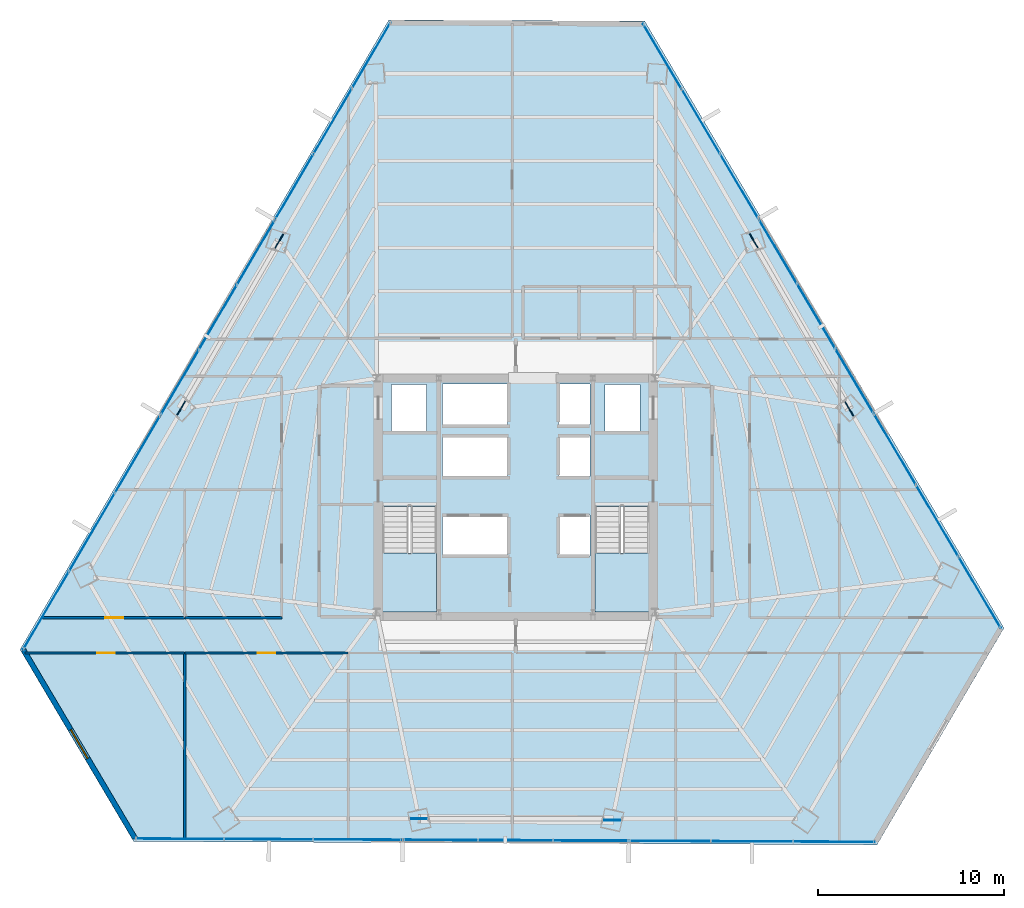
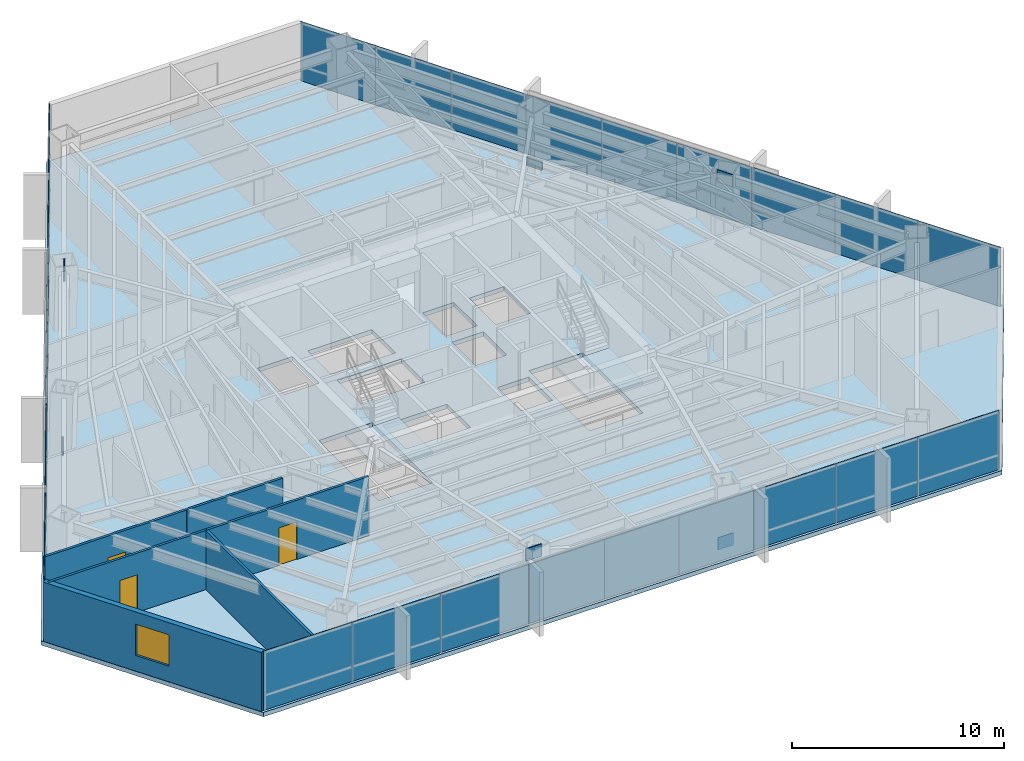
# One storey, part 29 of 35: 33 plates, 6 walls, 3 doors, 3 slabs, 1 window, 4 openings, 11 elements without a shape of their own.
"""IFC4 building model written with IfcOpenShell, lengths in metres."""

import ifcopenshell
import ifcopenshell.guid

model = None  # the IFC model being written
_history = None  # IfcOwnerHistory: only IFC2X3 demands one
_inside = {}  # id of a spatial element -> (the spatial element, [elements in it])
_under = {}  # id of a project, library or spatial element -> (it, [spatial elements below it])
_declared = {}  # id of a project -> (the project, [libraries it declares])
_typed = {}  # id of a type object -> (the type object, [elements of that type])
_made_of = {}  # id of a material, layer set ... -> (it, [elements and type objects made of it])


def new_model(schema):
    """Start an empty IFC model of exactly this schema.

    Asked for "IFC4X3", IfcOpenShell would pick the latest addendum, in which some entities
    have other attributes; the version numbers below select the first issue.
    IFC2X3 requires an IfcOwnerHistory on every rooted entity: one is made here for all.
    """
    global model, _history
    if schema == "IFC4X3":
        model = ifcopenshell.file(schema_version=(4, 3, 0, 0))
    else:
        model = ifcopenshell.file(schema=schema)
    _inside.clear()
    _under.clear()
    _declared.clear()
    _typed.clear()
    _made_of.clear()
    _history = None
    if model.schema == "IFC2X3":
        org = make("IfcOrganization", Name="unknown")
        user = make(
            "IfcPersonAndOrganization",
            ThePerson=make("IfcPerson", FamilyName="unknown"),
            TheOrganization=org,
        )
        app = make(
            "IfcApplication",
            ApplicationDeveloper=org,
            Version="unknown",
            ApplicationFullName="unknown",
            ApplicationIdentifier="unknown",
        )
        _history = make(
            "IfcOwnerHistory",
            OwningUser=user,
            OwningApplication=app,
            ChangeAction="ADDED",
            CreationDate=0,
        )
    return model


def make(cls, **values):
    """One entity of the class cls with the attributes given. An attribute that is None is left unset."""
    return model.create_entity(
        cls, **{name: value for name, value in values.items() if value is not None}
    )


def rooted(cls, **values):
    """An entity with a GlobalId (a new one), such as an element, a storey or a relation."""
    return make(cls, GlobalId=ifcopenshell.guid.new(), OwnerHistory=_history, **values)


def si_unit(unit_type, name, prefix=None):
    """IfcSIUnit, for example si_unit("LENGTHUNIT", "METRE", prefix="MILLI")."""
    return make("IfcSIUnit", UnitType=unit_type, Prefix=prefix, Name=name)


def assignment(units):
    """IfcUnitAssignment: the units of a project."""
    return None if units is None else make("IfcUnitAssignment", Units=units)


def point(xyz):
    """IfcCartesianPoint."""
    return None if xyz is None else make("IfcCartesianPoint", Coordinates=xyz)


def direction(xyz):
    """IfcDirection."""
    return None if xyz is None else make("IfcDirection", DirectionRatios=xyz)


def frame(location, z_axis=None, x_axis=None):
    """IfcAxis2Placement3D, a coordinate frame: its origin and axes. An axis left out is left unset."""
    return make(
        "IfcAxis2Placement3D",
        Location=point(location),
        Axis=direction(z_axis),
        RefDirection=direction(x_axis),
    )


def frame_2d(location, x_axis=None):
    """IfcAxis2Placement2D, a coordinate frame in the plane: its origin and x axis."""
    return make(
        "IfcAxis2Placement2D", Location=point(location), RefDirection=direction(x_axis)
    )


def origin():
    """The frame at (0, 0, 0) with its axes left unset."""
    return frame((0.0, 0.0, 0.0))


def origin_2d():
    """The frame at (0, 0) in the plane with its x axis left unset."""
    return frame_2d((0.0, 0.0))


def place(relative_to, where):
    """IfcLocalPlacement: puts the frame where relative to a parent placement (None: the world)."""
    return make(
        "IfcLocalPlacement", PlacementRelTo=relative_to, RelativePlacement=where
    )


def context(
    kind, dimensions, precision=None, world=None, true_north=None, identifier=None
):
    """IfcGeometricRepresentationContext, for example the 3D "Model" context."""
    return make(
        "IfcGeometricRepresentationContext",
        ContextIdentifier=identifier,
        ContextType=kind,
        CoordinateSpaceDimension=dimensions,
        Precision=precision,
        WorldCoordinateSystem=world,
        TrueNorth=true_north,
    )


def subcontext(parent, identifier, kind, view, scale=None):
    """IfcGeometricRepresentationSubContext, for example "Body" below "Model"."""
    return make(
        "IfcGeometricRepresentationSubContext",
        ContextIdentifier=identifier,
        ContextType=kind,
        ParentContext=parent,
        TargetScale=scale,
        TargetView=view,
    )


def project(units=None, contexts=None):
    """IfcProject with its units and contexts."""
    return rooted(
        "IfcProject",
        Name="project",
        RepresentationContexts=contexts,
        UnitsInContext=assignment(units),
    )


def spatial(cls, under=None, at=None, **own):
    """A site, building, storey or space (cls), placed at a placement, below another one or the project."""
    s = rooted(cls, ObjectPlacement=at, **own)
    if under is not None:
        _under.setdefault(under.id(), (under, []))[1].append(s)
    return s


def polyline(points):
    """IfcPolyline through the points."""
    return make("IfcPolyline", Points=[point(p) for p in points])


def profile(cls, at=None, kind="AREA", **sizes):
    """A parametric profile (cls). Its sizes go by their IFC names, for example OverallWidth=200.0."""
    return make(cls, ProfileType=kind, Position=at, **sizes)


def rectangle(**sizes):
    """IfcRectangleProfileDef."""
    return profile("IfcRectangleProfileDef", **sizes)


def outline(outer, holes=None, kind="AREA"):
    """IfcArbitraryClosedProfileDef: a profile drawn as a closed curve; with holes, ...WithVoids."""
    if holes is None:
        return make("IfcArbitraryClosedProfileDef", ProfileType=kind, OuterCurve=outer)
    return make(
        "IfcArbitraryProfileDefWithVoids",
        ProfileType=kind,
        OuterCurve=outer,
        InnerCurves=holes,
    )


def extrude(swept, where, along, depth):
    """IfcExtrudedAreaSolid: the profile swept, set in the frame where, extruded along a direction by depth."""
    return make(
        "IfcExtrudedAreaSolid",
        SweptArea=swept,
        Position=where,
        ExtrudedDirection=direction(along),
        Depth=depth,
    )


def shape(context_of_items, identifier, shape_type, items):
    """IfcShapeRepresentation: the items that make up one representation, for example the "Body"."""
    return make(
        "IfcShapeRepresentation",
        ContextOfItems=context_of_items,
        RepresentationIdentifier=identifier,
        RepresentationType=shape_type,
        Items=items,
    )


def source(mapping_origin, context_of_items, identifier, shape_type, items):
    """IfcRepresentationMap: a shape defined once, which mapped items show again and again."""
    return make(
        "IfcRepresentationMap",
        MappingOrigin=mapping_origin,
        MappedRepresentation=shape(context_of_items, identifier, shape_type, items),
    )


def transform(
    local_origin,
    x_axis=None,
    y_axis=None,
    z_axis=None,
    scale=None,
    scale2=None,
    scale3=None,
    uniform=True,
):
    """IfcCartesianTransformationOperator3D, or its non-uniform kind. x_axis, y_axis, z_axis: its Axis1, 2, 3."""
    if uniform:
        return make(
            "IfcCartesianTransformationOperator3D",
            Axis1=direction(x_axis),
            Axis2=direction(y_axis),
            LocalOrigin=point(local_origin),
            Scale=scale,
            Axis3=direction(z_axis),
        )
    return make(
        "IfcCartesianTransformationOperator3DnonUniform",
        Axis1=direction(x_axis),
        Axis2=direction(y_axis),
        LocalOrigin=point(local_origin),
        Scale=scale,
        Axis3=direction(z_axis),
        Scale2=scale2,
        Scale3=scale3,
    )


def mapped(mapping_source, mapping_target):
    """IfcMappedItem: shows the shape of a source again, moved by a transform."""
    return make(
        "IfcMappedItem", MappingSource=mapping_source, MappingTarget=mapping_target
    )


def material(Name=None, Category=None):
    """IfcMaterial."""
    return make("IfcMaterial", Name=Name, Category=Category)


def layer(
    of_material, thickness, ventilated=None, Name=None, Category=None, Priority=None
):
    """IfcMaterialLayer: one layer of a wall or slab, of a material (None: an air gap)."""
    return make(
        "IfcMaterialLayer",
        Material=of_material,
        LayerThickness=thickness,
        IsVentilated=ventilated,
        Name=Name,
        Category=Category,
        Priority=Priority,
    )


def layer_set(layers, Name=None):
    """IfcMaterialLayerSet."""
    return make("IfcMaterialLayerSet", MaterialLayers=layers, LayerSetName=Name)


def made_of(thing, what):
    """Note that an element or type object is made of a material, layer set ...; save() writes the relation."""
    if what is not None:
        _made_of.setdefault(what.id(), (what, []))[1].append(thing)
    return thing


def type_object(cls, material=None, **own):
    """A type object (cls), such as IfcWallType, which elements share."""
    return made_of(rooted(cls, **own), material)


def type_shapes(of_type, sources):
    """Give a type object the sources (RepresentationMaps) that its elements show as mapped items."""
    of_type.RepresentationMaps = sources


def element(
    cls,
    number,
    at=None,
    inside=None,
    cuts=None,
    type_object=None,
    material=None,
    context=None,
    identifier="Body",
    shape_type=None,
    held_by="IfcProductDefinitionShape",
    body=None,
    shapes=None,
    **own,
):
    """One element of the class cls, such as IfcWall. Its Tag is "e" and its number.

    at: its placement. inside: the storey or other place that contains it. cuts: it is an
    opening in that element (IfcRelVoidsElement). A single representation is given by context,
    identifier, shape_type and body (its items); several are given by shapes. held_by: the class
    of the entity that holds the representations. save() writes the other relations.
    """
    e = rooted(cls, Tag="e%d" % number, ObjectPlacement=at, **own)
    if body is not None:
        shapes = [shape(context, identifier, shape_type, body)]
    if shapes is not None:
        e.Representation = make(held_by, Representations=shapes)
    if inside is not None:
        _inside.setdefault(inside.id(), (inside, []))[1].append(e)
    if cuts is not None:
        rooted(
            "IfcRelVoidsElement", RelatingBuildingElement=cuts, RelatedOpeningElement=e
        )
    if type_object is not None:
        _typed.setdefault(type_object.id(), (type_object, []))[1].append(e)
    return made_of(e, material)


def fill(opening, filler):
    """IfcRelFillsElement: the door or window that sits in an opening."""
    return rooted(
        "IfcRelFillsElement",
        RelatingOpeningElement=opening,
        RelatedBuildingElement=filler,
    )


def aggregate(whole, parts):
    """IfcRelAggregates: a whole, such as a stair, and the parts it consists of."""
    return rooted("IfcRelAggregates", RelatingObject=whole, RelatedObjects=parts)


def save(model, path):
    """Write the relations noted so far, then the file.

    IfcRelAggregates (storeys below a building ...), IfcRelContainedInSpatialStructure (elements
    in a storey), IfcRelDefinesByType, IfcRelAssociatesMaterial and IfcRelDeclares: one each for
    every whole, place, type object, material and project.
    """
    for whole, parts in _under.values():
        aggregate(whole, parts)
    for where, things in _inside.values():
        rooted(
            "IfcRelContainedInSpatialStructure",
            RelatedElements=things,
            RelatingStructure=where,
        )
    for kind, things in _typed.values():
        rooted("IfcRelDefinesByType", RelatedObjects=things, RelatingType=kind)
    for what, things in _made_of.values():
        rooted("IfcRelAssociatesMaterial", RelatedObjects=things, RelatingMaterial=what)
    for by, libraries in _declared.values():
        rooted("IfcRelDeclares", RelatingContext=by, RelatedDefinitions=libraries)
    model.write(path)


model = new_model("IFC4")

# Units and contexts
model_context = context("Model", 3, precision=1e-05, world=origin(), true_north=direction((0.0, 1.0)))
body_context = subcontext(model_context, "Body", "Model", "MODEL_VIEW")
ifc_project = project(units=[si_unit("LENGTHUNIT", "METRE"), si_unit("AREAUNIT", "SQUARE_METRE"), si_unit("VOLUMEUNIT", "CUBIC_METRE"), si_unit("PLANEANGLEUNIT", "RADIAN"), si_unit("MASSUNIT", "GRAM", prefix="KILO")], contexts=[model_context])

# Site, building, storey
site_placement = place(None, origin())
site = spatial("IfcSite", under=ifc_project, at=site_placement, CompositionType="ELEMENT")
building_placement = place(site_placement, origin())
building = spatial("IfcBuilding", under=site, at=building_placement, Name="Caelisora Broadcast Tower", CompositionType="ELEMENT")
storey_placement = place(building_placement, frame((0.0, 0.0, 98.10009765625)))
storey = spatial("IfcBuildingStorey", under=building, at=storey_placement, Name="L25", CompositionType="ELEMENT", Elevation=98.10009765625)

# Slab
ifc_material_1 = material(Name="Concrete 40 MPa (AS 3600 N40)", Category="concrete")
ifc_layer_1 = layer(ifc_material_1, 0.25, Name="Concrete 40 MPa (AS 3600 N40)")
ifc_layer_set_1 = layer_set([ifc_layer_1], Name="Concrete 40 MPa (AS 3600 N40)")
slab_type_1 = type_object("IfcSlabType", Name="SL04", PredefinedType="FLOOR", material=ifc_layer_set_1)
slab_1_placement = place(storey_placement, frame((0.0, 0.0, -0.25)))
element("IfcSlab", 1, at=slab_1_placement, inside=storey, type_object=slab_type_1, Name="L25 suspended floor SL04", PredefinedType="FLOOR", context=body_context, shape_type="SweptSolid", body=[
    extrude(outline(polyline([(44.948974609375, 49.23388671875), (31.159912109375, 49.297119140625), (11.2939453125, 15.384033203125), (17.410888671875, 5.049072265625), (57.4580078125, 4.866943359375), (64.299072265625, 16.5439453125), (44.948974609375, 49.23388671875)]), holes=[polyline([(30.820068359375, 17.39990234375), (33.739990234375, 17.39990234375), (33.739990234375, 23.080078125), (30.820068359375, 23.080078125), (30.820068359375, 17.39990234375)]), polyline([(42.260009765625, 17.39990234375), (45.179931640625, 17.39990234375), (45.179931640625, 23.080078125), (42.260009765625, 23.080078125), (42.260009765625, 17.39990234375)]), polyline([(42.800048828125, 27.14990234375), (44.699951171875, 27.14990234375), (44.699951171875, 29.64990234375), (42.800048828125, 29.64990234375), (42.800048828125, 27.14990234375)]), polyline([(40.300048828125, 20.429931640625), (42.0, 20.429931640625), (42.0, 22.6298828125), (40.300048828125, 22.6298828125), (40.300048828125, 20.429931640625)]), polyline([(40.300048828125, 24.719970703125), (42.0, 24.719970703125), (42.0, 26.919921875), (40.300048828125, 26.919921875), (40.300048828125, 24.719970703125)]), polyline([(40.300048828125, 27.5), (42.0, 27.5), (42.0, 29.699951171875), (40.300048828125, 29.699951171875), (40.300048828125, 27.5)]), polyline([(34.050048828125, 20.429931640625), (37.550048828125, 20.429931640625), (37.550048828125, 22.6298828125), (34.050048828125, 22.6298828125), (34.050048828125, 20.429931640625)]), polyline([(34.050048828125, 24.719970703125), (37.550048828125, 24.719970703125), (37.550048828125, 26.919921875), (34.050048828125, 26.919921875), (34.050048828125, 24.719970703125)]), polyline([(34.050048828125, 27.5), (37.550048828125, 27.5), (37.550048828125, 29.699951171875), (34.050048828125, 29.699951171875), (34.050048828125, 27.5)]), polyline([(31.300048828125, 27.14990234375), (33.199951171875, 27.14990234375), (33.199951171875, 29.64990234375), (31.300048828125, 29.64990234375), (31.300048828125, 27.14990234375)])]), origin(), (0.0, 0.0, 1.0), 0.25),
])

# Stair, slab
stair_type_1 = type_object("IfcStairType", Name="ST-1", PredefinedType="HALF_TURN_STAIR", material=ifc_material_1)
stair_1_placement = place(storey_placement, origin())
stair_1 = element("IfcStair", 2, at=stair_1_placement, inside=storey, type_object=stair_type_1, Name="L25 West Fire-Isolated Tower Stair", PredefinedType="HALF_TURN_STAIR")
ifc_layer_2 = layer(ifc_material_1, 0.199951171875, Name="Concrete 40 MPa (AS 3600 N40)")
ifc_layer_set_2 = layer_set([ifc_layer_2], Name="Concrete 40 MPa (AS 3600 N40)")
slab_type_2 = type_object("IfcSlabType", Name="STL-1", PredefinedType="LANDING", material=ifc_layer_set_2)
slab_2_placement = place(storey_placement, frame((0.0, 0.0, 1.625)))
slab_2 = element("IfcSlab", 3, at=slab_2_placement, type_object=slab_type_2, Name="ST-1 landing 1", PredefinedType="LANDING", context=body_context, shape_type="SweptSolid", body=[
    extrude(outline(polyline([(30.820068359375, 20.580078125), (30.820068359375, 17.39990234375), (33.739990234375, 17.39990234375), (33.739990234375, 20.580078125), (30.820068359375, 20.580078125)])), origin(), (0.0, 0.0, 1.0), 0.199951171875),
])
aggregate(stair_1, [slab_2])

stair_type_2 = type_object("IfcStairType", Name="ST-2", PredefinedType="HALF_TURN_STAIR", material=ifc_material_1)
stair_2_placement = place(storey_placement, origin())
stair_2 = element("IfcStair", 4, at=stair_2_placement, inside=storey, type_object=stair_type_2, Name="L25 East Fire-Isolated Tower Stair", PredefinedType="HALF_TURN_STAIR")
slab_3_placement = place(storey_placement, frame((0.0, 0.0, 1.625)))
slab_3 = element("IfcSlab", 5, at=slab_3_placement, type_object=slab_type_2, Name="ST-2 landing 1", PredefinedType="LANDING", context=body_context, shape_type="SweptSolid", body=[
    extrude(outline(polyline([(42.260009765625, 20.580078125), (42.260009765625, 17.39990234375), (45.179931640625, 17.39990234375), (45.179931640625, 20.580078125), (42.260009765625, 20.580078125)])), origin(), (0.0, 0.0, 1.0), 0.199951171875),
])
aggregate(stair_2, [slab_3])

# Plates
ifc_material_2 = material(Name="Steel Grade 350 L15 (AS/NZS 3678)", Category="steel")
ifc_layer_3 = layer(ifc_material_2, 0.050048828125, Name="Steel Grade 350 L15 (AS/NZS 3678)")
ifc_layer_set_3 = layer_set([ifc_layer_3], Name="Steel Grade 350 L15 (AS/NZS 3678)")
plate_type_1 = type_object("IfcPlateType", Name="GP03", PredefinedType="USERDEFINED", material=ifc_layer_set_3)
shared_shape_1 = source(origin(), body_context, "Body", "SweptSolid", [
    extrude(rectangle(XDim=0.85009765625, YDim=0.050048828125, at=origin_2d()), origin(), (0.0, 0.0, 1.0), 0.699951171875),
])
type_shapes(plate_type_1, [shared_shape_1])
for number, where, z_axis, x_axis, name in (
    (6, (25.24951171875, 37.3779296875, 2.72998046875), (0.0, 0.0, 1.0), (-0.5, -0.866025403784, 0.0), "L25 gusset plate GP03 (ND-L25-C02T)"),
    (7, (19.984619140625, 28.40380859375, -0.22998046875), (0.0, 0.0, 1.0), (-0.5, -0.866025403784, 0.0), "L25 gusset plate GP03 (ND-L25-C03B)"),
    (8, (32.789794921875, 6.268798828125, 2.72998046875), (0.0, 0.0, 1.0), (1.0, 0.0, 0.0), "L25 gusset plate GP03 (ND-L25-C06T)"),
    (9, (43.194091796875, 6.1962890625, -0.22998046875), (0.0, 0.0, 1.0), (1.0, 0.0, 0.0), "L25 gusset plate GP03 (ND-L25-C07B)"),
    (10, (55.9609375, 28.353515625, 2.72998046875), (0.0, 0.0, 1.0), (-0.5, 0.866025403784, 0.0), "L25 gusset plate GP03 (ND-L25-C10T)"),
    (11, (50.8212890625, 37.39990234375, -0.22998046875), (0.0, 0.0, 1.0), (-0.5, 0.866025403784, 0.0), "L25 gusset plate GP03 (ND-L25-C11B)"),
):
    element("IfcPlate", number, at=place(storey_placement, frame(where, z_axis=z_axis, x_axis=x_axis)), inside=storey, type_object=plate_type_1, Name=name, ObjectType="GUSSET PLATE", PredefinedType="USERDEFINED", context=body_context, shape_type="MappedRepresentation", body=[
        mapped(shared_shape_1, transform((0.0, 0.0, 0.0), scale=1.0)),
    ])

# Curtain wall, plates
ifc_material_3 = material(Name="Unitised Aluminium and Low-E Glass Curtain Wall", Category="glass")
curtain_wall_type_1 = type_object("IfcCurtainWallType", Name="CW-Z2", PredefinedType="NOTDEFINED", material=ifc_material_3)
curtain_wall_1_placement = place(storey_placement, origin())
curtain_wall_1 = element("IfcCurtainWall", 12, at=curtain_wall_1_placement, inside=storey, type_object=curtain_wall_type_1, Name="L25 curtain wall CW-Z2", PredefinedType="NOTDEFINED")
ifc_material_4 = material(Name="Double Glazed Low-E Argon IGU", Category="glass")
ifc_layer_4 = layer(ifc_material_4, 0.033935546875, Name="Double Glazed Low-E Argon IGU")
ifc_layer_set_4 = layer_set([ifc_layer_4], Name="Double Glazed Low-E Argon IGU")
plate_type_2 = type_object("IfcPlateType", Name="CWP-03", PredefinedType="CURTAIN_PANEL", material=ifc_layer_set_4)
shared_shape_2 = source(origin(), body_context, "Body", "SweptSolid", [
    extrude(rectangle(XDim=4.0615234375, YDim=0.033935546875, at=origin_2d()), origin(), (0.0, 0.0, 1.0), 3.39990234375),
])
plate_1_placement = place(storey_placement, frame((45.8974609375, 47.33642578125, 0.0), z_axis=(0.0, 0.0, 1.0), x_axis=(0.509341840379, -0.860564285593, 0.0)))
plate_1 = element("IfcPlate", 13, at=plate_1_placement, type_object=plate_type_2, Name="L25-CW-B01 glazed panel #1", PredefinedType="CURTAIN_PANEL", context=body_context, shape_type="MappedRepresentation", body=[
    mapped(shared_shape_2, transform((0.0, 0.0, 0.0), scale=1.0)),
])
plate_2_placement = place(storey_placement, frame((47.96630859375, 43.84130859375, 0.0), z_axis=(0.0, 0.0, 1.0), x_axis=(0.509341840379, -0.860564285593, 0.0)))
plate_2 = element("IfcPlate", 14, at=plate_2_placement, type_object=plate_type_2, Name="L25-CW-B01 glazed panel #2", PredefinedType="CURTAIN_PANEL", context=body_context, shape_type="MappedRepresentation", body=[
    mapped(shared_shape_2, transform((0.0, 0.0, 0.0), scale=1.0)),
])
plate_3_placement = place(storey_placement, frame((50.035400390625, 40.34619140625, 0.0), z_axis=(0.0, 0.0, 1.0), x_axis=(0.509341840379, -0.860564285593, 0.0)))
plate_3 = element("IfcPlate", 15, at=plate_3_placement, type_object=plate_type_2, Name="L25-CW-B01 glazed panel #3", PredefinedType="CURTAIN_PANEL", context=body_context, shape_type="MappedRepresentation", body=[
    mapped(shared_shape_2, transform((0.0, 0.0, 0.0), scale=1.0)),
])
aggregate(curtain_wall_1, [plate_1, plate_2, plate_3])

ifc_material_5 = material(Name="Unitised Aluminium Insulated Shadow-Box Spandrel Curtain Wall", Category="aluminium")
curtain_wall_type_2 = type_object("IfcCurtainWallType", Name="CW-SP1", PredefinedType="NOTDEFINED", material=ifc_material_5)
curtain_wall_2_placement = place(storey_placement, origin())
curtain_wall_2 = element("IfcCurtainWall", 16, at=curtain_wall_2_placement, inside=storey, type_object=curtain_wall_type_2, Name="L25 curtain wall CW-SP1", PredefinedType="NOTDEFINED")
ifc_material_6 = material(Name="Insulated Terracotta Shadow-Box Spandrel Panel", Category="aluminium")
ifc_layer_5 = layer(ifc_material_6, 0.0439453125, Name="Insulated Terracotta Shadow-Box Spandrel Panel")
ifc_layer_set_5 = layer_set([ifc_layer_5], Name="Insulated Terracotta Shadow-Box Spandrel Panel")
plate_type_3 = type_object("IfcPlateType", Name="CWP-10", PredefinedType="CURTAIN_PANEL", material=ifc_layer_set_5)
shared_shape_3 = source(origin(), body_context, "Body", "SweptSolid", [
    extrude(rectangle(XDim=4.05908203125, YDim=0.0439453125, at=origin_2d()), origin(), (0.0, 0.0, 1.0), 3.39990234375),
])
plate_4_placement = place(storey_placement, frame((52.108642578125, 36.843505859375, 0.0), z_axis=(0.0, 0.0, 1.0), x_axis=(0.509341840379, -0.860564285593, 0.0)))
plate_4 = element("IfcPlate", 17, at=plate_4_placement, type_object=plate_type_3, Name="L25-CW-B02 spandrel panel #1", PredefinedType="CURTAIN_PANEL", context=body_context, shape_type="MappedRepresentation", body=[
    mapped(shared_shape_3, transform((0.0, 0.0, 0.0), scale=1.0)),
])
plate_5_placement = place(storey_placement, frame((54.176513671875, 33.3505859375, 0.0), z_axis=(0.0, 0.0, 1.0), x_axis=(0.509341840379, -0.860564285593, 0.0)))
plate_5 = element("IfcPlate", 18, at=plate_5_placement, type_object=plate_type_3, Name="L25-CW-B02 spandrel panel #2", PredefinedType="CURTAIN_PANEL", context=body_context, shape_type="MappedRepresentation", body=[
    mapped(shared_shape_3, transform((0.0, 0.0, 0.0), scale=1.0)),
])
plate_6_placement = place(storey_placement, frame((56.244140625, 29.857421875, 0.0), z_axis=(0.0, 0.0, 1.0), x_axis=(0.509341840379, -0.860564285593, 0.0)))
plate_6 = element("IfcPlate", 19, at=plate_6_placement, type_object=plate_type_3, Name="L25-CW-B02 spandrel panel #3", PredefinedType="CURTAIN_PANEL", context=body_context, shape_type="MappedRepresentation", body=[
    mapped(shared_shape_3, transform((0.0, 0.0, 0.0), scale=1.0)),
])
aggregate(curtain_wall_2, [plate_4, plate_5, plate_6])

curtain_wall_3_placement = place(storey_placement, origin())
curtain_wall_3 = element("IfcCurtainWall", 20, at=curtain_wall_3_placement, inside=storey, type_object=curtain_wall_type_2, Name="L25 curtain wall CW-SP1", PredefinedType="NOTDEFINED")
plate_7_placement = place(storey_placement, frame((19.8955078125, 29.770751953125, 0.0), z_axis=(0.0, 0.0, 1.0), x_axis=(0.505431492718, 0.862866737202, 0.0)))
plate_7 = element("IfcPlate", 21, at=plate_7_placement, type_object=plate_type_3, Name="L25-CW-B10 spandrel panel #1", PredefinedType="CURTAIN_PANEL", context=body_context, shape_type="MappedRepresentation", body=[
    mapped(shared_shape_3, transform((0.0, 0.0, 0.0), scale=1.0)),
])
plate_8_placement = place(storey_placement, frame((21.947509765625, 33.273193359375, 0.0), z_axis=(0.0, 0.0, 1.0), x_axis=(0.505431492718, 0.862866737202, 0.0)))
plate_8 = element("IfcPlate", 22, at=plate_8_placement, type_object=plate_type_3, Name="L25-CW-B10 spandrel panel #2", PredefinedType="CURTAIN_PANEL", context=body_context, shape_type="MappedRepresentation", body=[
    mapped(shared_shape_3, transform((0.0, 0.0, 0.0), scale=1.0)),
])
plate_9_placement = place(storey_placement, frame((23.9990234375, 36.77587890625, 0.0), z_axis=(0.0, 0.0, 1.0), x_axis=(0.505431492718, 0.862866737202, 0.0)))
plate_9 = element("IfcPlate", 23, at=plate_9_placement, type_object=plate_type_3, Name="L25-CW-B10 spandrel panel #3", PredefinedType="CURTAIN_PANEL", context=body_context, shape_type="MappedRepresentation", body=[
    mapped(shared_shape_3, transform((0.0, 0.0, 0.0), scale=1.0)),
])
aggregate(curtain_wall_3, [plate_7, plate_8, plate_9])

curtain_wall_4_placement = place(storey_placement, origin())
curtain_wall_4 = element("IfcCurtainWall", 24, at=curtain_wall_4_placement, inside=storey, type_object=curtain_wall_type_1, Name="L25 curtain wall CW-Z2", PredefinedType="NOTDEFINED")
shared_shape_4 = source(origin(), body_context, "Body", "SweptSolid", [
    extrude(rectangle(XDim=4.477294921875, YDim=0.033935546875, at=origin_2d()), origin(), (0.0, 0.0, 1.0), 3.39990234375),
])
plate_10_placement = place(storey_placement, frame((58.42333984375, 26.176025390625, 0.0), z_axis=(0.0, 0.0, 1.0), x_axis=(0.509341840379, -0.860564285593, 0.0)))
plate_10 = element("IfcPlate", 25, at=plate_10_placement, type_object=plate_type_2, Name="L25-CW-B03 glazed panel #1", PredefinedType="CURTAIN_PANEL", context=body_context, shape_type="MappedRepresentation", body=[
    mapped(shared_shape_4, transform((0.0, 0.0, 0.0), scale=1.0)),
])
plate_11_placement = place(storey_placement, frame((60.7041015625, 22.3232421875, 0.0), z_axis=(0.0, 0.0, 1.0), x_axis=(0.509341840379, -0.860564285593, 0.0)))
plate_11 = element("IfcPlate", 26, at=plate_11_placement, type_object=plate_type_2, Name="L25-CW-B03 glazed panel #2", PredefinedType="CURTAIN_PANEL", context=body_context, shape_type="MappedRepresentation", body=[
    mapped(shared_shape_4, transform((0.0, 0.0, 0.0), scale=1.0)),
])
plate_12_placement = place(storey_placement, frame((62.984619140625, 18.470458984375, 0.0), z_axis=(0.0, 0.0, 1.0), x_axis=(0.509341840379, -0.860564285593, 0.0)))
plate_12 = element("IfcPlate", 27, at=plate_12_placement, type_object=plate_type_2, Name="L25-CW-B03 glazed panel #3", PredefinedType="CURTAIN_PANEL", context=body_context, shape_type="MappedRepresentation", body=[
    mapped(shared_shape_4, transform((0.0, 0.0, 0.0), scale=1.0)),
])
aggregate(curtain_wall_4, [plate_10, plate_11, plate_12])

curtain_wall_5_placement = place(storey_placement, origin())
curtain_wall_5 = element("IfcCurtainWall", 28, at=curtain_wall_5_placement, inside=storey, type_object=curtain_wall_type_1, Name="L25 curtain wall CW-Z2", PredefinedType="NOTDEFINED")
shared_shape_5 = source(origin(), body_context, "Body", "SweptSolid", [
    extrude(rectangle(XDim=4.426025390625, YDim=0.033935546875, at=origin_2d()), origin(), (0.0, 0.0, 1.0), 3.39990234375),
])
plate_13_placement = place(storey_placement, frame((55.158935546875, 5.027099609375, 0.0), z_axis=(0.0, 0.0, 1.0), x_axis=(-0.999989703949, 0.004537840481, 0.0)))
plate_13 = element("IfcPlate", 29, at=plate_13_placement, type_object=plate_type_2, Name="L25-CW-B05 glazed panel #1", PredefinedType="CURTAIN_PANEL", context=body_context, shape_type="MappedRepresentation", body=[
    mapped(shared_shape_5, transform((0.0, 0.0, 0.0), scale=1.0)),
])
plate_14_placement = place(storey_placement, frame((50.73291015625, 5.04736328125, 0.0), z_axis=(0.0, 0.0, 1.0), x_axis=(-0.999989703949, 0.004537840481, 0.0)))
plate_14 = element("IfcPlate", 30, at=plate_14_placement, type_object=plate_type_2, Name="L25-CW-B05 glazed panel #2", PredefinedType="CURTAIN_PANEL", context=body_context, shape_type="MappedRepresentation", body=[
    mapped(shared_shape_5, transform((0.0, 0.0, 0.0), scale=1.0)),
])
plate_15_placement = place(storey_placement, frame((46.306884765625, 5.0673828125, 0.0), z_axis=(0.0, 0.0, 1.0), x_axis=(-0.999989703949, 0.004537840481, 0.0)))
plate_15 = element("IfcPlate", 31, at=plate_15_placement, type_object=plate_type_2, Name="L25-CW-B05 glazed panel #3", PredefinedType="CURTAIN_PANEL", context=body_context, shape_type="MappedRepresentation", body=[
    mapped(shared_shape_5, transform((0.0, 0.0, 0.0), scale=1.0)),
])
aggregate(curtain_wall_5, [plate_13, plate_14, plate_15])

curtain_wall_6_placement = place(storey_placement, origin())
curtain_wall_6 = element("IfcCurtainWall", 32, at=curtain_wall_6_placement, inside=storey, type_object=curtain_wall_type_2, Name="L25 curtain wall CW-SP1", PredefinedType="NOTDEFINED")
shared_shape_6 = source(origin(), body_context, "Body", "SweptSolid", [
    extrude(rectangle(XDim=4.059326171875, YDim=0.0439453125, at=origin_2d()), origin(), (0.0, 0.0, 1.0), 3.39990234375),
])
type_shapes(plate_type_3, [shared_shape_3, shared_shape_6])
plate_16_placement = place(storey_placement, frame((42.05419921875, 5.0869140625, 0.0), z_axis=(0.0, 0.0, 1.0), x_axis=(-0.999989703949, 0.004537840481, 0.0)))
plate_16 = element("IfcPlate", 33, at=plate_16_placement, type_object=plate_type_3, Name="L25-CW-B06 spandrel panel #1", PredefinedType="CURTAIN_PANEL", context=body_context, shape_type="MappedRepresentation", body=[
    mapped(shared_shape_6, transform((0.0, 0.0, 0.0), scale=1.0)),
])
plate_17_placement = place(storey_placement, frame((37.9951171875, 5.10546875, 0.0), z_axis=(0.0, 0.0, 1.0), x_axis=(-0.999989703949, 0.004537840481, 0.0)))
plate_17 = element("IfcPlate", 34, at=plate_17_placement, type_object=plate_type_3, Name="L25-CW-B06 spandrel panel #2", PredefinedType="CURTAIN_PANEL", context=body_context, shape_type="MappedRepresentation", body=[
    mapped(shared_shape_6, transform((0.0, 0.0, 0.0), scale=1.0)),
])
plate_18_placement = place(storey_placement, frame((33.935791015625, 5.1240234375, 0.0), z_axis=(0.0, 0.0, 1.0), x_axis=(-0.999989703949, 0.004537840481, 0.0)))
plate_18 = element("IfcPlate", 35, at=plate_18_placement, type_object=plate_type_3, Name="L25-CW-B06 spandrel panel #3", PredefinedType="CURTAIN_PANEL", context=body_context, shape_type="MappedRepresentation", body=[
    mapped(shared_shape_6, transform((0.0, 0.0, 0.0), scale=1.0)),
])
aggregate(curtain_wall_6, [plate_16, plate_17, plate_18])

curtain_wall_7_placement = place(storey_placement, origin())
curtain_wall_7 = element("IfcCurtainWall", 36, at=curtain_wall_7_placement, inside=storey, type_object=curtain_wall_type_1, Name="L25 curtain wall CW-Z2", PredefinedType="NOTDEFINED")
shared_shape_7 = source(origin(), body_context, "Body", "SweptSolid", [
    extrude(rectangle(XDim=4.7998046875, YDim=0.033935546875, at=origin_2d()), origin(), (0.0, 0.0, 1.0), 3.39990234375),
])
plate_19_placement = place(storey_placement, frame((29.496337890625, 5.144287109375, 0.0), z_axis=(0.0, 0.0, 1.0), x_axis=(-0.999989703949, 0.004537840481, 0.0)))
plate_19 = element("IfcPlate", 37, at=plate_19_placement, type_object=plate_type_2, Name="L25-CW-B07 glazed panel #1", PredefinedType="CURTAIN_PANEL", context=body_context, shape_type="MappedRepresentation", body=[
    mapped(shared_shape_7, transform((0.0, 0.0, 0.0), scale=1.0)),
])
plate_20_placement = place(storey_placement, frame((24.696533203125, 5.166015625, 0.0), z_axis=(0.0, 0.0, 1.0), x_axis=(-0.999989703949, 0.004537840481, 0.0)))
plate_20 = element("IfcPlate", 38, at=plate_20_placement, type_object=plate_type_2, Name="L25-CW-B07 glazed panel #2", PredefinedType="CURTAIN_PANEL", context=body_context, shape_type="MappedRepresentation", body=[
    mapped(shared_shape_7, transform((0.0, 0.0, 0.0), scale=1.0)),
])
plate_21_placement = place(storey_placement, frame((19.89697265625, 5.18798828125, 0.0), z_axis=(0.0, 0.0, 1.0), x_axis=(-0.999989703949, 0.004537840481, 0.0)))
plate_21 = element("IfcPlate", 39, at=plate_21_placement, type_object=plate_type_2, Name="L25-CW-B07 glazed panel #3", PredefinedType="CURTAIN_PANEL", context=body_context, shape_type="MappedRepresentation", body=[
    mapped(shared_shape_7, transform((0.0, 0.0, 0.0), scale=1.0)),
])
aggregate(curtain_wall_7, [plate_19, plate_20, plate_21])

curtain_wall_8_placement = place(storey_placement, origin())
curtain_wall_8 = element("IfcCurtainWall", 40, at=curtain_wall_8_placement, inside=storey, type_object=curtain_wall_type_1, Name="L25 curtain wall CW-Z2", PredefinedType="NOTDEFINED")
shared_shape_8 = source(origin(), body_context, "Body", "SweptSolid", [
    extrude(rectangle(XDim=4.8779296875, YDim=0.033935546875, at=origin_2d()), origin(), (0.0, 0.0, 1.0), 3.39990234375),
])
plate_22_placement = place(storey_placement, frame((12.70068359375, 17.488525390625, 0.0), z_axis=(0.0, 0.0, 1.0), x_axis=(0.505431492718, 0.862866737202, 0.0)))
plate_22 = element("IfcPlate", 41, at=plate_22_placement, type_object=plate_type_2, Name="L25-CW-B09 glazed panel #1", PredefinedType="CURTAIN_PANEL", context=body_context, shape_type="MappedRepresentation", body=[
    mapped(shared_shape_8, transform((0.0, 0.0, 0.0), scale=1.0)),
])
plate_23_placement = place(storey_placement, frame((15.16650390625, 21.697509765625, 0.0), z_axis=(0.0, 0.0, 1.0), x_axis=(0.505431492718, 0.862866737202, 0.0)))
plate_23 = element("IfcPlate", 42, at=plate_23_placement, type_object=plate_type_2, Name="L25-CW-B09 glazed panel #2", PredefinedType="CURTAIN_PANEL", context=body_context, shape_type="MappedRepresentation", body=[
    mapped(shared_shape_8, transform((0.0, 0.0, 0.0), scale=1.0)),
])
plate_24_placement = place(storey_placement, frame((17.6318359375, 25.906494140625, 0.0), z_axis=(0.0, 0.0, 1.0), x_axis=(0.505431492718, 0.862866737202, 0.0)))
plate_24 = element("IfcPlate", 43, at=plate_24_placement, type_object=plate_type_2, Name="L25-CW-B09 glazed panel #3", PredefinedType="CURTAIN_PANEL", context=body_context, shape_type="MappedRepresentation", body=[
    mapped(shared_shape_8, transform((0.0, 0.0, 0.0), scale=1.0)),
])
aggregate(curtain_wall_8, [plate_22, plate_23, plate_24])

curtain_wall_9_placement = place(storey_placement, origin())
curtain_wall_9 = element("IfcCurtainWall", 44, at=curtain_wall_9_placement, inside=storey, type_object=curtain_wall_type_1, Name="L25 curtain wall CW-Z2", PredefinedType="NOTDEFINED")
shared_shape_9 = source(origin(), body_context, "Body", "SweptSolid", [
    extrude(rectangle(XDim=4.099365234375, YDim=0.033935546875, at=origin_2d()), origin(), (0.0, 0.0, 1.0), 3.39990234375),
])
type_shapes(plate_type_2, [shared_shape_2, shared_shape_4, shared_shape_5, shared_shape_7, shared_shape_8, shared_shape_9])
plate_25_placement = place(storey_placement, frame((26.06591796875, 40.30419921875, 0.0), z_axis=(0.0, 0.0, 1.0), x_axis=(0.505431492718, 0.862866737202, 0.0)))
plate_25 = element("IfcPlate", 45, at=plate_25_placement, type_object=plate_type_2, Name="L25-CW-B11 glazed panel #1", PredefinedType="CURTAIN_PANEL", context=body_context, shape_type="MappedRepresentation", body=[
    mapped(shared_shape_9, transform((0.0, 0.0, 0.0), scale=1.0)),
])
plate_26_placement = place(storey_placement, frame((28.137939453125, 43.84130859375, 0.0), z_axis=(0.0, 0.0, 1.0), x_axis=(0.505431492718, 0.862866737202, 0.0)))
plate_26 = element("IfcPlate", 46, at=plate_26_placement, type_object=plate_type_2, Name="L25-CW-B11 glazed panel #2", PredefinedType="CURTAIN_PANEL", context=body_context, shape_type="MappedRepresentation", body=[
    mapped(shared_shape_9, transform((0.0, 0.0, 0.0), scale=1.0)),
])
plate_27_placement = place(storey_placement, frame((30.2099609375, 47.37841796875, 0.0), z_axis=(0.0, 0.0, 1.0), x_axis=(0.505431492718, 0.862866737202, 0.0)))
plate_27 = element("IfcPlate", 47, at=plate_27_placement, type_object=plate_type_2, Name="L25-CW-B11 glazed panel #3", PredefinedType="CURTAIN_PANEL", context=body_context, shape_type="MappedRepresentation", body=[
    mapped(shared_shape_9, transform((0.0, 0.0, 0.0), scale=1.0)),
])
aggregate(curtain_wall_9, [plate_25, plate_26, plate_27])

# Wall, opening, window
ifc_material_7 = material(Name="Insulated Terracotta Spandrel Wall System", Category="masonry")
ifc_layer_6 = layer(ifc_material_7, 0.280029296875, Name="Insulated Terracotta Spandrel Wall System")
ifc_layer_set_6 = layer_set([ifc_layer_6], Name="Insulated Terracotta Spandrel Wall System")
wall_type_1 = type_object("IfcWallType", Name="EW1", PredefinedType="STANDARD", material=ifc_layer_set_6)
wall_1_placement = place(storey_placement, frame((17.481689453125, 5.224853515625, 0.0), z_axis=(0.0, 0.0, 1.0), x_axis=(-0.509385757815, 0.860538290685, 0.0)))
wall_1 = element("IfcWall", 48, at=wall_1_placement, inside=storey, type_object=wall_type_1, Name="L25 exterior envelope wall EW1", PredefinedType="STANDARD", context=body_context, shape_type="SweptSolid", body=[
    extrude(rectangle(XDim=11.775634765625, YDim=0.280029296875, at=frame_2d((5.8876953125, 0.0))), origin(), (0.0, 0.0, 1.0), 3.39990234375),
])
opening_1_placement = place(wall_1_placement, frame((4.989990234375, 0.0, 0.89990234375)))
opening_1 = element("IfcOpeningElement", 49, at=opening_1_placement, cuts=wall_1, Name="Opening W01", PredefinedType="OPENING", context=body_context, shape_type="SweptSolid", body=[
    extrude(rectangle(XDim=1.800048828125, YDim=1.800048828125, at=frame_2d((0.89990234375, 0.89990234375))), frame((0.0, 0.152099609375, 0.0), z_axis=(0.0, -1.0, 0.0), x_axis=(1.0, 0.0, 0.0)), (0.0, 0.0, 1.0), 0.303955078125),
])
ifc_material_8 = material(Name="Double Glazed Terracotta-Framed Vision Window", Category="glass")
window_type = type_object("IfcWindowType", Name="W01", PartitioningType="SINGLE_PANEL", PredefinedType="WINDOW", material=ifc_material_8)
window_placement = place(opening_1_placement, origin())
window = element("IfcWindow", 50, at=window_placement, inside=storey, type_object=window_type, Name="L25 window W01 (L25-WN-CH4)", OverallHeight=1.800048828125, OverallWidth=1.800048828125, PartitioningType="SINGLE_PANEL", PredefinedType="WINDOW", context=body_context, shape_type="SweptSolid", body=[
    extrude(rectangle(XDim=1.800048828125, YDim=1.800048828125, at=frame_2d((0.89990234375, 0.89990234375))), frame((0.0, 0.030029296875, 0.0), z_axis=(0.0, -1.0, 0.0), x_axis=(1.0, 0.0, 0.0)), (0.0, 0.0, 1.0), 0.06005859375),
])
fill(opening_1, window)

# Wall
ifc_material_9 = material(Name="Acoustic Steel-Stud Plasterboard Partition", Category="gypsum")
ifc_layer_7 = layer(ifc_material_9, 0.1298828125, Name="Acoustic Steel-Stud Plasterboard Partition")
ifc_layer_set_7 = layer_set([ifc_layer_7], Name="Acoustic Steel-Stud Plasterboard Partition")
wall_type_2 = type_object("IfcWallType", Name="PW3", PredefinedType="PARTITIONING", material=ifc_layer_set_7)
wall_2_placement = place(storey_placement, frame((20.169921875, 5.181396484375, 0.0), z_axis=(0.0, 0.0, 1.0), x_axis=(0.0, 1.0, 0.0)))
element("IfcWall", 51, at=wall_2_placement, inside=storey, type_object=wall_type_2, Name="L25 internal partition PW3", PredefinedType="PARTITIONING", context=body_context, shape_type="SweptSolid", body=[
    extrude(rectangle(XDim=10.013671875, YDim=0.1298828125, at=frame_2d((5.0068359375, 0.0))), origin(), (0.0, 0.0, 1.0), 3.39990234375),
])

# Wall, opening, door
wall_3_placement = place(storey_placement, frame((20.175048828125, 15.199951171875, 0.0), z_axis=(0.0, 0.0, 1.0), x_axis=(1.0, 0.0, 0.0)))
wall_3 = element("IfcWall", 52, at=wall_3_placement, inside=storey, type_object=wall_type_2, Name="L25 internal partition PW3", PredefinedType="PARTITIONING", context=body_context, shape_type="SweptSolid", body=[
    extrude(rectangle(XDim=8.800048828125, YDim=0.1298828125, at=frame_2d((4.39990234375, 0.0))), origin(), (0.0, 0.0, 1.0), 3.39990234375),
])
opening_2_placement = place(wall_3_placement, frame((3.919921875, 0.0, 0.0)))
opening_2 = element("IfcOpeningElement", 53, at=opening_2_placement, cuts=wall_3, Name="Opening D01", PredefinedType="OPENING", context=body_context, shape_type="SweptSolid", body=[
    extrude(rectangle(XDim=0.9599609375, YDim=2.14990234375, at=frame_2d((0.47998046875, 1.074951171875))), frame((0.0, 0.076904296875, 0.0), z_axis=(0.0, -1.0, 0.0), x_axis=(1.0, 0.0, 0.0)), (0.0, 0.0, 1.0), 0.15380859375),
])
ifc_material_10 = material(Name="Solid-Core Timber Acoustic Office Door", Category="wood")
door_type = type_object("IfcDoorType", Name="D01", OperationType="NOTDEFINED", PredefinedType="DOOR", material=ifc_material_10)
door_1_placement = place(opening_2_placement, origin())
door_1 = element("IfcDoor", 54, at=door_1_placement, inside=storey, type_object=door_type, Name="L25 door D01 (L25-DR-P38D1)", OperationType="SINGLE_SWING_RIGHT", OverallHeight=2.14990234375, OverallWidth=0.9599609375, PredefinedType="DOOR", context=body_context, shape_type="SweptSolid", body=[
    extrude(rectangle(XDim=0.9599609375, YDim=2.14990234375, at=frame_2d((0.47998046875, 1.074951171875))), frame((0.0, 0.02490234375, 0.0), z_axis=(0.0, -1.0, 0.0), x_axis=(1.0, 0.0, 0.0)), (0.0, 0.0, 1.0), 0.050048828125),
])
fill(opening_2, door_1)

wall_4_placement = place(storey_placement, frame((11.5712890625, 15.199951171875, 0.0), z_axis=(0.0, 0.0, 1.0), x_axis=(1.0, 0.0, 0.0)))
wall_4 = element("IfcWall", 55, at=wall_4_placement, inside=storey, type_object=wall_type_2, Name="L25 internal partition PW3", PredefinedType="PARTITIONING", context=body_context, shape_type="SweptSolid", body=[
    extrude(rectangle(XDim=8.59375, YDim=0.1298828125, at=frame_2d((4.296875, 0.0))), origin(), (0.0, 0.0, 1.0), 3.39990234375),
])
opening_3_placement = place(wall_4_placement, frame((3.8720703125, 0.0, 0.0)))
opening_3 = element("IfcOpeningElement", 56, at=opening_3_placement, cuts=wall_4, Name="Opening D01", PredefinedType="OPENING", context=body_context, shape_type="SweptSolid", body=[
    extrude(rectangle(XDim=0.9599609375, YDim=2.14990234375, at=frame_2d((0.47998046875, 1.074951171875))), frame((0.0, 0.076904296875, 0.0), z_axis=(0.0, -1.0, 0.0), x_axis=(1.0, 0.0, 0.0)), (0.0, 0.0, 1.0), 0.15380859375),
])
door_2_placement = place(opening_3_placement, origin())
door_2 = element("IfcDoor", 57, at=door_2_placement, inside=storey, type_object=door_type, Name="L25 door D01 (L25-DR-P39D1)", OperationType="SINGLE_SWING_LEFT", OverallHeight=2.14990234375, OverallWidth=0.9599609375, PredefinedType="DOOR", context=body_context, shape_type="SweptSolid", body=[
    extrude(rectangle(XDim=0.9599609375, YDim=2.14990234375, at=frame_2d((0.47998046875, 1.074951171875))), frame((0.0, 0.02490234375, 0.0), z_axis=(0.0, -1.0, 0.0), x_axis=(1.0, 0.0, 0.0)), (0.0, 0.0, 1.0), 0.050048828125),
])
fill(opening_3, door_2)

wall_5_placement = place(storey_placement, frame((12.46728515625, 17.10009765625, 0.0), z_axis=(0.0, 0.0, 1.0), x_axis=(1.0, 0.0, 0.0)))
wall_5 = element("IfcWall", 58, at=wall_5_placement, inside=storey, type_object=wall_type_2, Name="L25 internal partition PW3", PredefinedType="PARTITIONING", context=body_context, shape_type="SweptSolid", body=[
    extrude(rectangle(XDim=7.69775390625, YDim=0.1298828125, at=frame_2d((3.848876953125, 0.0))), origin(), (0.0, 0.0, 1.0), 3.39990234375),
])
opening_4_placement = place(wall_5_placement, frame((3.422119140625, 0.0, 0.0)))
opening_4 = element("IfcOpeningElement", 59, at=opening_4_placement, cuts=wall_5, Name="Opening D01", PredefinedType="OPENING", context=body_context, shape_type="SweptSolid", body=[
    extrude(rectangle(XDim=0.9599609375, YDim=2.14990234375, at=frame_2d((0.47998046875, 1.074951171875))), frame((0.0, 0.076904296875, 0.0), z_axis=(0.0, -1.0, 0.0), x_axis=(1.0, 0.0, 0.0)), (0.0, 0.0, 1.0), 0.15380859375),
])
door_3_placement = place(opening_4_placement, origin())
door_3 = element("IfcDoor", 60, at=door_3_placement, inside=storey, type_object=door_type, Name="L25 door D01 (L25-DR-P43D1)", OperationType="SINGLE_SWING_LEFT", OverallHeight=2.14990234375, OverallWidth=0.9599609375, PredefinedType="DOOR", context=body_context, shape_type="SweptSolid", body=[
    extrude(rectangle(XDim=0.9599609375, YDim=2.14990234375, at=frame_2d((0.47998046875, 1.074951171875))), frame((0.0, 0.02490234375, 0.0), z_axis=(0.0, -1.0, 0.0), x_axis=(1.0, 0.0, 0.0)), (0.0, 0.0, 1.0), 0.050048828125),
])
fill(opening_4, door_3)

# Wall
wall_6_placement = place(storey_placement, frame((20.175048828125, 17.10009765625, 0.0), z_axis=(0.0, 0.0, 1.0), x_axis=(1.0, 0.0, 0.0)))
element("IfcWall", 61, at=wall_6_placement, inside=storey, type_object=wall_type_2, Name="L25 internal partition PW3", PredefinedType="PARTITIONING", context=body_context, shape_type="SweptSolid", body=[
    extrude(rectangle(XDim=5.219970703125, YDim=0.1298828125, at=frame_2d((2.60986328125, 0.0))), origin(), (0.0, 0.0, 1.0), 3.39990234375),
])

save(model, "model.ifc")
